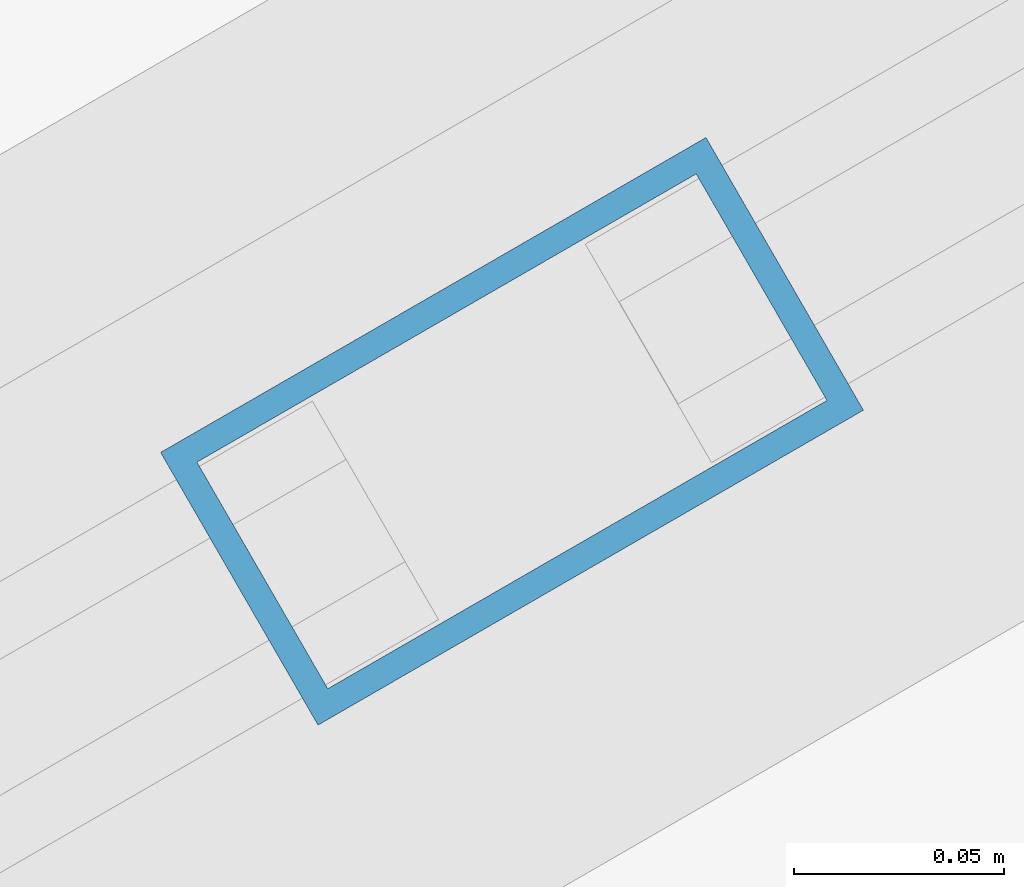
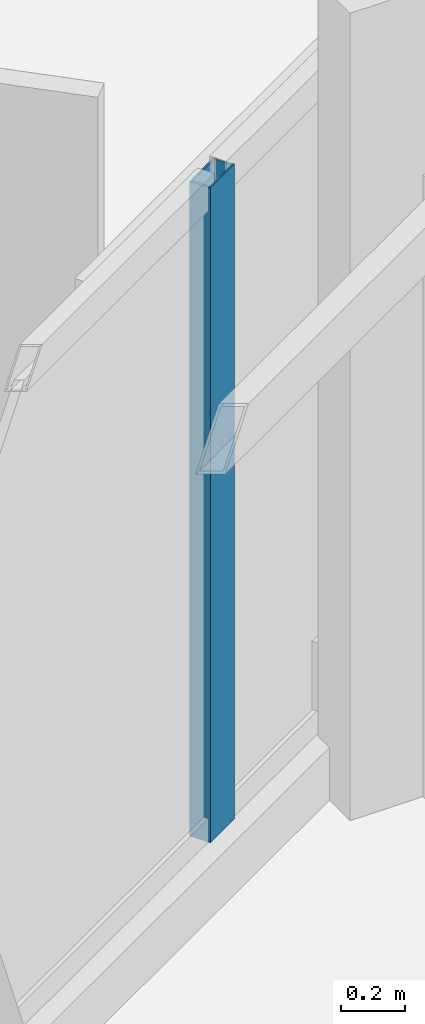
# One storey, part 10 of 22: 1 member, 1 element without a shape of its own.
"""IFC4 building model written with IfcOpenShell, lengths in metres."""

from ifc_helpers import new_model, si_unit, direction, frame, origin, origin_2d, place, context, subcontext, project, spatial, hollow_rectangle, extrude, material, layer, layer_set, material_profile, profile_set, type_object, element, aggregate, save


model = new_model("IFC4")

# Units and contexts
model_context = context("Model", 3, precision=1e-05, world=origin(), true_north=direction((0.0, 1.0)))
body_context = subcontext(model_context, "Body", "Model", "MODEL_VIEW")
ifc_project = project(units=[si_unit("LENGTHUNIT", "METRE"), si_unit("AREAUNIT", "SQUARE_METRE"), si_unit("VOLUMEUNIT", "CUBIC_METRE"), si_unit("PLANEANGLEUNIT", "RADIAN"), si_unit("MASSUNIT", "GRAM", prefix="KILO")], contexts=[model_context])

# Site, building, storey
site_placement = place(None, origin())
site = spatial("IfcSite", under=ifc_project, at=site_placement, CompositionType="ELEMENT")
building_placement = place(site_placement, origin())
building = spatial("IfcBuilding", under=site, at=building_placement, Name="Mersakhor Tower and Convention Hall", CompositionType="ELEMENT")
storey_placement = place(building_placement, frame((0.0, 0.0, 201.89990234375)))
storey = spatial("IfcBuildingStorey", under=building, at=storey_placement, Name="L56", CompositionType="ELEMENT", Elevation=201.89990234375)

# Curtain wall, member
ifc_material_1 = material(Name="Dark solar low-E aluminium curtain wall", Category="aluminium")
ifc_layer = layer(ifc_material_1, 0.169921875)
ifc_layer_set = layer_set([ifc_layer], Name="Dark solar low-E aluminium curtain wall")
curtain_wall_type = type_object("IfcCurtainWallType", Name="CW-SYS-02", PredefinedType="USERDEFINED", material=ifc_layer_set)
curtain_wall_placement = place(storey_placement, origin())
curtain_wall = element("IfcCurtainWall", 1, at=curtain_wall_placement, inside=storey, type_object=curtain_wall_type, Name="L56 Dark-Glass Curtain Wall F1-B2", ObjectType="CURTAIN WALL", PredefinedType="USERDEFINED")
ifc_material_2 = material(Name="Anodised aluminium EN AW-6063 T6", Category="aluminium")
ifc_material_profile = material_profile(ifc_material_2, hollow_rectangle(XDim=0.074951171875, YDim=0.14990234375, WallThickness=0.00634765625, at=origin_2d()), Name="RHS 150x75x6.3")
ifc_profile_set = profile_set([ifc_material_profile], Name="Anodised aluminium EN AW-6063 T6")
member_type = type_object("IfcMemberType", Name="CWM-150x75", PredefinedType="MULLION", material=ifc_profile_set)
member_placement = place(storey_placement, frame((24.504638671875, 37.535888671875, 0.2001953125), z_axis=(0.0, 0.0, 1.0), x_axis=(-0.500007824483, 0.86602088627, 0.0)))
member = element("IfcMember", 2, at=member_placement, type_object=member_type, Name="CW-02 mullion 3", PredefinedType="MULLION", context=body_context, shape_type="SweptSolid", body=[
    extrude(hollow_rectangle(XDim=0.074951171875, YDim=0.14990234375, WallThickness=0.00634765625, at=origin_2d()), origin(), (0.0, 0.0, 1.0), 2.489990234375),
])
aggregate(curtain_wall, [member])

save(model, "model.ifc")
